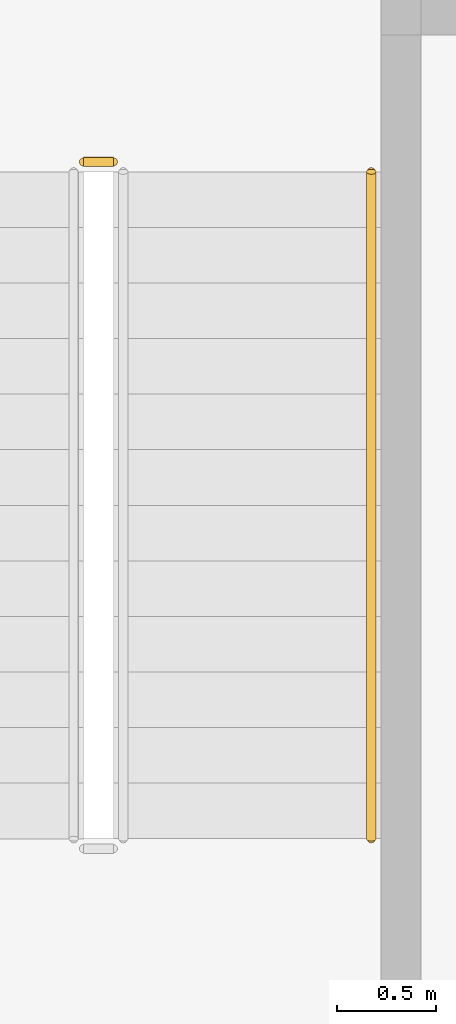
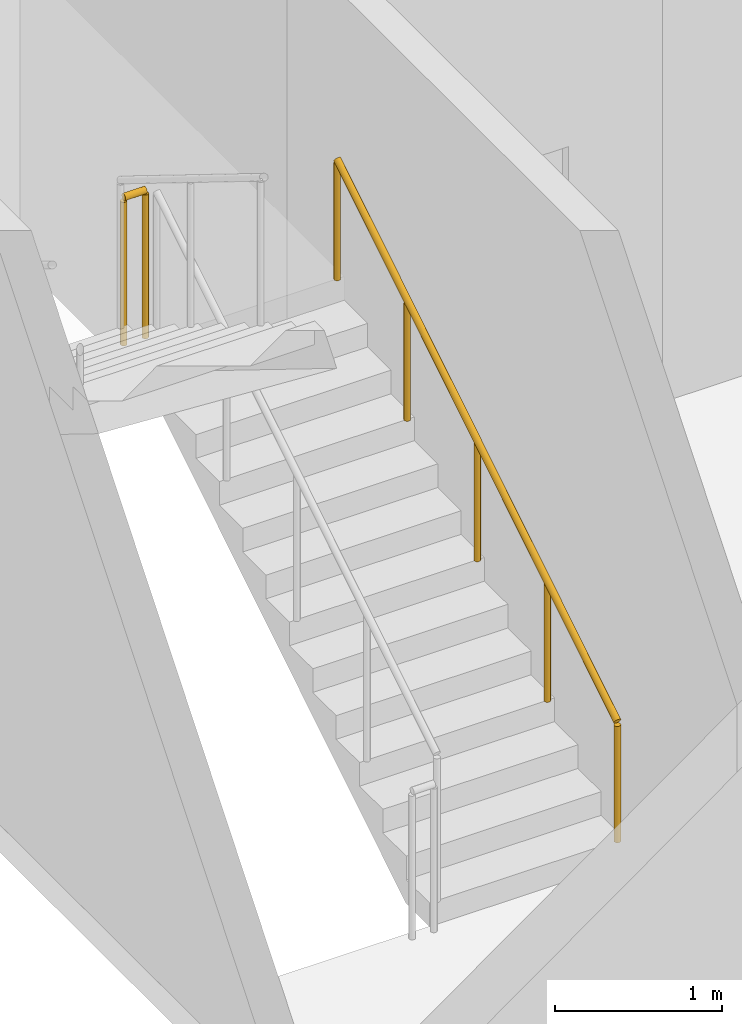
# One storey, part 142 of 153: 2 railings.
"""IFC4 building model written with IfcOpenShell, lengths in metres."""

import ifcopenshell
import ifcopenshell.guid

model = None  # the IFC model being written
_history = None  # IfcOwnerHistory: only IFC2X3 demands one
_inside = {}  # id of a spatial element -> (the spatial element, [elements in it])
_under = {}  # id of a project, library or spatial element -> (it, [spatial elements below it])
_declared = {}  # id of a project -> (the project, [libraries it declares])
_typed = {}  # id of a type object -> (the type object, [elements of that type])
_made_of = {}  # id of a material, layer set ... -> (it, [elements and type objects made of it])


def new_model(schema):
    """Start an empty IFC model of exactly this schema.

    Asked for "IFC4X3", IfcOpenShell would pick the latest addendum, in which some entities
    have other attributes; the version numbers below select the first issue.
    IFC2X3 requires an IfcOwnerHistory on every rooted entity: one is made here for all.
    """
    global model, _history
    if schema == "IFC4X3":
        model = ifcopenshell.file(schema_version=(4, 3, 0, 0))
    else:
        model = ifcopenshell.file(schema=schema)
    _inside.clear()
    _under.clear()
    _declared.clear()
    _typed.clear()
    _made_of.clear()
    _history = None
    if model.schema == "IFC2X3":
        org = make("IfcOrganization", Name="unknown")
        user = make(
            "IfcPersonAndOrganization",
            ThePerson=make("IfcPerson", FamilyName="unknown"),
            TheOrganization=org,
        )
        app = make(
            "IfcApplication",
            ApplicationDeveloper=org,
            Version="unknown",
            ApplicationFullName="unknown",
            ApplicationIdentifier="unknown",
        )
        _history = make(
            "IfcOwnerHistory",
            OwningUser=user,
            OwningApplication=app,
            ChangeAction="ADDED",
            CreationDate=0,
        )
    return model


def make(cls, **values):
    """One entity of the class cls with the attributes given. An attribute that is None is left unset."""
    return model.create_entity(
        cls, **{name: value for name, value in values.items() if value is not None}
    )


def rooted(cls, **values):
    """An entity with a GlobalId (a new one), such as an element, a storey or a relation."""
    return make(cls, GlobalId=ifcopenshell.guid.new(), OwnerHistory=_history, **values)


def si_unit(unit_type, name, prefix=None):
    """IfcSIUnit, for example si_unit("LENGTHUNIT", "METRE", prefix="MILLI")."""
    return make("IfcSIUnit", UnitType=unit_type, Prefix=prefix, Name=name)


def assignment(units):
    """IfcUnitAssignment: the units of a project."""
    return None if units is None else make("IfcUnitAssignment", Units=units)


def point(xyz):
    """IfcCartesianPoint."""
    return None if xyz is None else make("IfcCartesianPoint", Coordinates=xyz)


def direction(xyz):
    """IfcDirection."""
    return None if xyz is None else make("IfcDirection", DirectionRatios=xyz)


def frame(location, z_axis=None, x_axis=None):
    """IfcAxis2Placement3D, a coordinate frame: its origin and axes. An axis left out is left unset."""
    return make(
        "IfcAxis2Placement3D",
        Location=point(location),
        Axis=direction(z_axis),
        RefDirection=direction(x_axis),
    )


def frame_2d(location, x_axis=None):
    """IfcAxis2Placement2D, a coordinate frame in the plane: its origin and x axis."""
    return make(
        "IfcAxis2Placement2D", Location=point(location), RefDirection=direction(x_axis)
    )


def origin():
    """The frame at (0, 0, 0) with its axes left unset."""
    return frame((0.0, 0.0, 0.0))


def origin_2d():
    """The frame at (0, 0) in the plane with its x axis left unset."""
    return frame_2d((0.0, 0.0))


def place(relative_to, where):
    """IfcLocalPlacement: puts the frame where relative to a parent placement (None: the world)."""
    return make(
        "IfcLocalPlacement", PlacementRelTo=relative_to, RelativePlacement=where
    )


def context(
    kind, dimensions, precision=None, world=None, true_north=None, identifier=None
):
    """IfcGeometricRepresentationContext, for example the 3D "Model" context."""
    return make(
        "IfcGeometricRepresentationContext",
        ContextIdentifier=identifier,
        ContextType=kind,
        CoordinateSpaceDimension=dimensions,
        Precision=precision,
        WorldCoordinateSystem=world,
        TrueNorth=true_north,
    )


def subcontext(parent, identifier, kind, view, scale=None):
    """IfcGeometricRepresentationSubContext, for example "Body" below "Model"."""
    return make(
        "IfcGeometricRepresentationSubContext",
        ContextIdentifier=identifier,
        ContextType=kind,
        ParentContext=parent,
        TargetScale=scale,
        TargetView=view,
    )


def project(units=None, contexts=None):
    """IfcProject with its units and contexts."""
    return rooted(
        "IfcProject",
        Name="project",
        RepresentationContexts=contexts,
        UnitsInContext=assignment(units),
    )


def spatial(cls, under=None, at=None, **own):
    """A site, building, storey or space (cls), placed at a placement, below another one or the project."""
    s = rooted(cls, ObjectPlacement=at, **own)
    if under is not None:
        _under.setdefault(under.id(), (under, []))[1].append(s)
    return s


def profile(cls, at=None, kind="AREA", **sizes):
    """A parametric profile (cls). Its sizes go by their IFC names, for example OverallWidth=200.0."""
    return make(cls, ProfileType=kind, Position=at, **sizes)


def circle(**sizes):
    """IfcCircleProfileDef."""
    return profile("IfcCircleProfileDef", **sizes)


def extrude(swept, where, along, depth):
    """IfcExtrudedAreaSolid: the profile swept, set in the frame where, extruded along a direction by depth."""
    return make(
        "IfcExtrudedAreaSolid",
        SweptArea=swept,
        Position=where,
        ExtrudedDirection=direction(along),
        Depth=depth,
    )


def shape(context_of_items, identifier, shape_type, items):
    """IfcShapeRepresentation: the items that make up one representation, for example the "Body"."""
    return make(
        "IfcShapeRepresentation",
        ContextOfItems=context_of_items,
        RepresentationIdentifier=identifier,
        RepresentationType=shape_type,
        Items=items,
    )


def material(Name=None, Category=None):
    """IfcMaterial."""
    return make("IfcMaterial", Name=Name, Category=Category)


def made_of(thing, what):
    """Note that an element or type object is made of a material, layer set ...; save() writes the relation."""
    if what is not None:
        _made_of.setdefault(what.id(), (what, []))[1].append(thing)
    return thing


def type_object(cls, material=None, **own):
    """A type object (cls), such as IfcWallType, which elements share."""
    return made_of(rooted(cls, **own), material)


def element(
    cls,
    number,
    at=None,
    inside=None,
    cuts=None,
    type_object=None,
    material=None,
    context=None,
    identifier="Body",
    shape_type=None,
    held_by="IfcProductDefinitionShape",
    body=None,
    shapes=None,
    **own,
):
    """One element of the class cls, such as IfcWall. Its Tag is "e" and its number.

    at: its placement. inside: the storey or other place that contains it. cuts: it is an
    opening in that element (IfcRelVoidsElement). A single representation is given by context,
    identifier, shape_type and body (its items); several are given by shapes. held_by: the class
    of the entity that holds the representations. save() writes the other relations.
    """
    e = rooted(cls, Tag="e%d" % number, ObjectPlacement=at, **own)
    if body is not None:
        shapes = [shape(context, identifier, shape_type, body)]
    if shapes is not None:
        e.Representation = make(held_by, Representations=shapes)
    if inside is not None:
        _inside.setdefault(inside.id(), (inside, []))[1].append(e)
    if cuts is not None:
        rooted(
            "IfcRelVoidsElement", RelatingBuildingElement=cuts, RelatedOpeningElement=e
        )
    if type_object is not None:
        _typed.setdefault(type_object.id(), (type_object, []))[1].append(e)
    return made_of(e, material)


def aggregate(whole, parts):
    """IfcRelAggregates: a whole, such as a stair, and the parts it consists of."""
    return rooted("IfcRelAggregates", RelatingObject=whole, RelatedObjects=parts)


def save(model, path):
    """Write the relations noted so far, then the file.

    IfcRelAggregates (storeys below a building ...), IfcRelContainedInSpatialStructure (elements
    in a storey), IfcRelDefinesByType, IfcRelAssociatesMaterial and IfcRelDeclares: one each for
    every whole, place, type object, material and project.
    """
    for whole, parts in _under.values():
        aggregate(whole, parts)
    for where, things in _inside.values():
        rooted(
            "IfcRelContainedInSpatialStructure",
            RelatedElements=things,
            RelatingStructure=where,
        )
    for kind, things in _typed.values():
        rooted("IfcRelDefinesByType", RelatedObjects=things, RelatingType=kind)
    for what, things in _made_of.values():
        rooted("IfcRelAssociatesMaterial", RelatedObjects=things, RelatingMaterial=what)
    for by, libraries in _declared.values():
        rooted("IfcRelDeclares", RelatingContext=by, RelatedDefinitions=libraries)
    model.write(path)


model = new_model("IFC4")

# Units and contexts
model_context = context("Model", 3, precision=1e-05, world=origin(), true_north=direction((0.0, 1.0)))
body_context = subcontext(model_context, "Body", "Model", "MODEL_VIEW")
ifc_project = project(units=[si_unit("LENGTHUNIT", "METRE"), si_unit("AREAUNIT", "SQUARE_METRE"), si_unit("VOLUMEUNIT", "CUBIC_METRE"), si_unit("PLANEANGLEUNIT", "RADIAN"), si_unit("MASSUNIT", "GRAM", prefix="KILO")], contexts=[model_context])

# Site, building, storey
site_placement = place(None, origin())
site = spatial("IfcSite", under=ifc_project, at=site_placement, CompositionType="ELEMENT")
building_placement = place(site_placement, origin())
building = spatial("IfcBuilding", under=site, at=building_placement, Name="Kallimachos Central Library", CompositionType="ELEMENT")
storey_placement = place(building_placement, frame((0.0, 0.0, 5.39990234375)))
storey = spatial("IfcBuildingStorey", under=building, at=storey_placement, Name="L01", CompositionType="ELEMENT", Elevation=5.39990234375)

# Railings
ifc_material_1 = material(Name="Wrought iron")
railing_type_1 = type_object("IfcRailingType", Name="Wrought-iron handrail 900", PredefinedType="HANDRAIL", material=ifc_material_1)
railing_1_placement = place(storey_placement, frame((68.5, 88.550048828125, 0.173095703125)))
element("IfcRailing", 1, at=railing_1_placement, inside=storey, type_object=railing_type_1, Name="L01 ST1 stair handrail 1", PredefinedType="HANDRAIL", context=body_context, shape_type="SweptSolid", body=[
    extrude(circle(Radius=0.02392578125, at=origin_2d()), frame((0.0, 0.0, 0.8759765625), z_axis=(0.0, 0.850606129759, 0.525803396734), x_axis=(-1.0, 0.0, 0.0)), (0.0, 0.0, 1.0), 3.949951171875),
    extrude(circle(Radius=0.02099609375, at=origin_2d()), origin(), (0.0, 0.0, 1.0), 0.851806640625),
    extrude(circle(Radius=0.02099609375, at=origin_2d()), frame((0.0, 0.83984375, 0.519287109375)), (0.0, 0.0, 1.0), 0.851806640625),
    extrude(circle(Radius=0.02099609375, at=origin_2d()), frame((0.0, 1.679931640625, 1.03857421875)), (0.0, 0.0, 1.0), 0.851806640625),
    extrude(circle(Radius=0.02099609375, at=origin_2d()), frame((0.0, 2.52001953125, 1.5576171875)), (0.0, 0.0, 1.0), 0.851806640625),
    extrude(circle(Radius=0.02099609375, at=origin_2d()), frame((0.0, 3.35986328125, 2.076904296875)), (0.0, 0.0, 1.0), 0.851806640625),
])
ifc_material_2 = material(Name="Wrought iron")
railing_type_2 = type_object("IfcRailingType", Name="Wrought-iron stair guard 1100", PredefinedType="GUARDRAIL", material=ifc_material_2)
railing_2_placement = place(storey_placement, frame((67.199951171875, 91.9599609375, 2.25)))
element("IfcRailing", 2, at=railing_2_placement, inside=storey, type_object=railing_type_2, Name="L01 ST1 stair guard 2", PredefinedType="GUARDRAIL", context=body_context, shape_type="SweptSolid", body=[
    extrude(circle(Radius=0.02392578125, at=origin_2d()), frame((0.0, 0.0, 1.076171875), z_axis=(-1.0, 0.0, 0.0), x_axis=(0.0, -1.0, 0.0)), (0.0, 0.0, 1.0), 0.14990234375),
    extrude(circle(Radius=0.02099609375, at=origin_2d()), origin(), (0.0, 0.0, 1.0), 1.052001953125),
    extrude(circle(Radius=0.02099609375, at=origin_2d()), frame((-0.14990234375, 0.0, 0.0)), (0.0, 0.0, 1.0), 1.052001953125),
])

save(model, "model.ifc")
